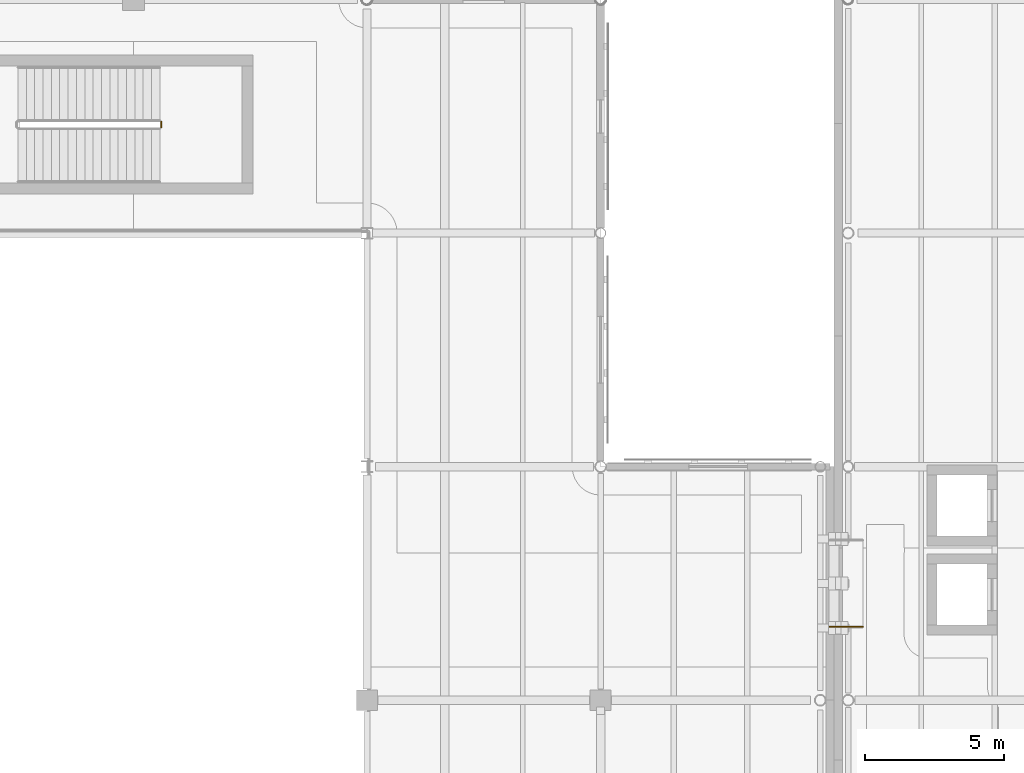
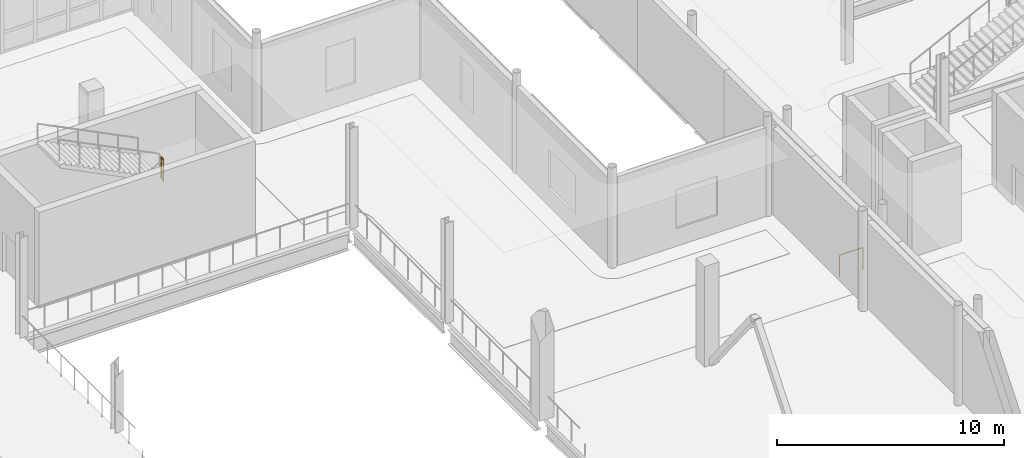
# One storey, part 102 of 110: 2 railings.
"""IFC4 building model written with IfcOpenShell, lengths in metres."""

from ifc_helpers import new_model, si_unit, direction, frame, origin, origin_2d, place, context, subcontext, project, spatial, circle, extrude, material, type_object, element, save


model = new_model("IFC4")

# Units and contexts
model_context = context("Model", 3, precision=1e-05, world=origin(), true_north=direction((0.0, 1.0)))
body_context = subcontext(model_context, "Body", "Model", "MODEL_VIEW")
ifc_project = project(units=[si_unit("LENGTHUNIT", "METRE"), si_unit("AREAUNIT", "SQUARE_METRE"), si_unit("VOLUMEUNIT", "CUBIC_METRE"), si_unit("PLANEANGLEUNIT", "RADIAN"), si_unit("MASSUNIT", "GRAM", prefix="KILO"), si_unit("THERMODYNAMICTEMPERATUREUNIT", "KELVIN")], contexts=[model_context])

# Site, building, storey
site_placement = place(None, origin())
site = spatial("IfcSite", under=ifc_project, at=site_placement, CompositionType="ELEMENT")
building_placement = place(site_placement, origin())
building = spatial("IfcBuilding", under=site, at=building_placement, Name="Lustrewick Department Store", CompositionType="ELEMENT")
storey_placement = place(building_placement, frame((0.0, 0.0, 6.0)))
storey = spatial("IfcBuildingStorey", under=building, at=storey_placement, Name="L02", CompositionType="ELEMENT", Elevation=6.0)

# Railings
ifc_material_1 = material(Name="Laminated safety glass and bronze atrium balustrade", Category="glass")
railing_type_1 = type_object("IfcRailingType", Name="RL-BAL", PredefinedType="BALUSTRADE", material=ifc_material_1)
railing_1_placement = place(storey_placement, frame((109.0400390625, 78.239990234375, 0.0)))
element("IfcRailing", 1, at=railing_1_placement, inside=storey, type_object=railing_type_1, Name="L02 Skybridge SB24 South Guard 0021", PredefinedType="BALUSTRADE", context=body_context, shape_type="SweptSolid", body=[
    extrude(circle(Radius=0.02392578125, at=origin_2d()), frame((0.0, 0.0, 1.17578125), z_axis=(1.0, 0.0, 0.0), x_axis=(0.0, 1.0, 0.0)), (0.0, 0.0, 1.0), 1.18994140625),
    extrude(circle(Radius=0.02099609375, at=origin_2d()), origin(), (0.0, 0.0, 1.0), 1.15185546875),
    extrude(circle(Radius=0.02099609375, at=origin_2d()), frame((1.18994140625, 0.0, 0.0)), (0.0, 0.0, 1.0), 1.15185546875),
])
ifc_material_2 = material(Name="Painted tubular steel stairwell guardrail", Category="steel")
railing_type_2 = type_object("IfcRailingType", Name="RL-STG", PredefinedType="GUARDRAIL", material=ifc_material_2)
railing_2_placement = place(storey_placement, frame((85.0, 96.199951171875, 2.699951171875)))
element("IfcRailing", 2, at=railing_2_placement, inside=storey, type_object=railing_type_2, Name="L02 ST06 Stair Guard 2", PredefinedType="GUARDRAIL", context=body_context, shape_type="SweptSolid", body=[
    extrude(circle(Radius=0.02392578125, at=origin_2d()), frame((0.0, 0.0, 1.17578125), z_axis=(0.0, 1.0, 0.0), x_axis=(-1.0, 0.0, 0.0)), (0.0, 0.0, 1.0), 0.199951171875),
    extrude(circle(Radius=0.02099609375, at=origin_2d()), origin(), (0.0, 0.0, 1.0), 1.15185546875),
    extrude(circle(Radius=0.02099609375, at=origin_2d()), frame((0.0, 0.199951171875, 0.0)), (0.0, 0.0, 1.0), 1.15185546875),
])

save(model, "model.ifc")
